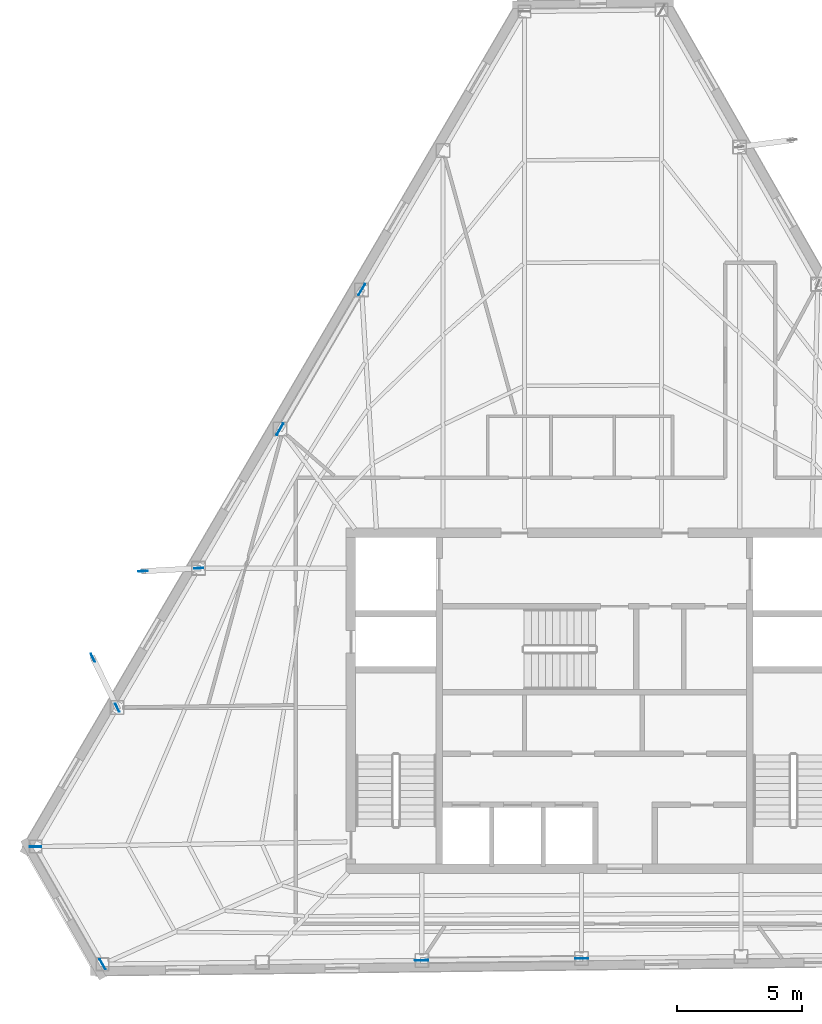
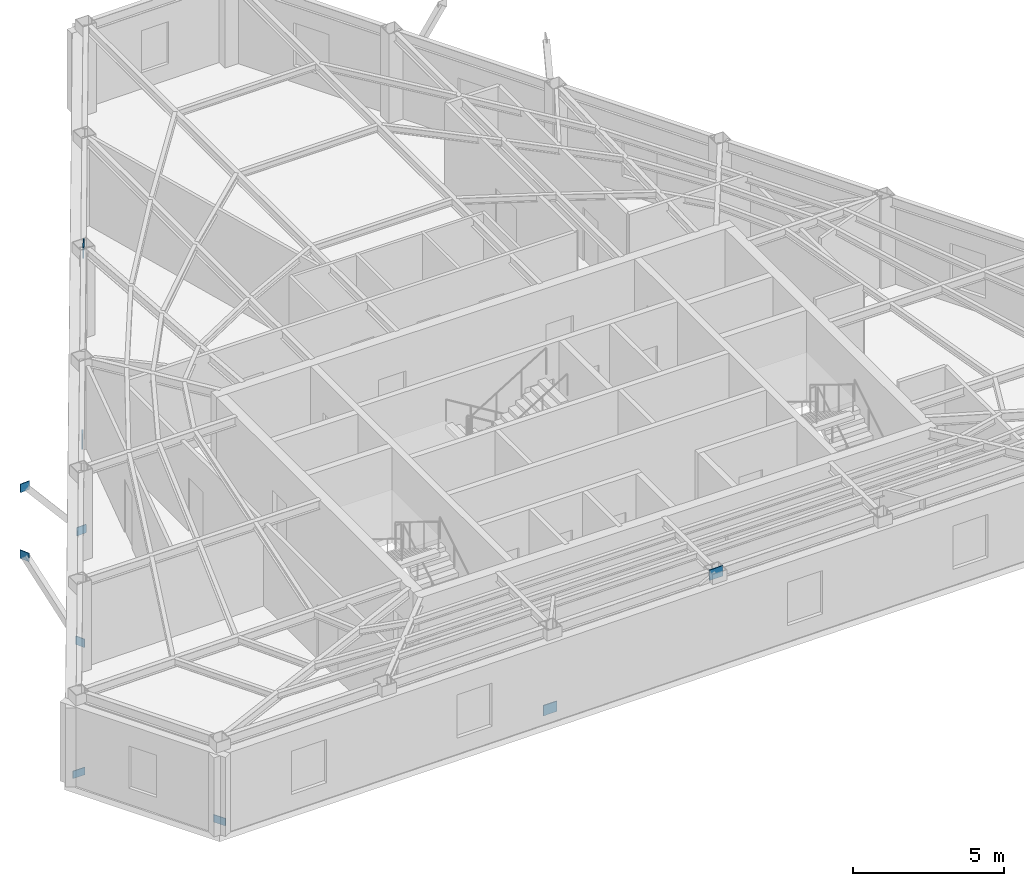
# One storey, part 4 of 10: 10 plates.
"""IFC4 building model written with IfcOpenShell, lengths in metres."""

from ifc_helpers import new_model, si_unit, direction, frame, origin, origin_2d, place, context, subcontext, project, spatial, rectangle, extrude, material, layer, layer_set, type_object, element, save


model = new_model("IFC4")

# Units and contexts
model_context = context("Model", 3, precision=1e-05, world=origin(), true_north=direction((0.0, 1.0)))
body_context = subcontext(model_context, "Body", "Model", "MODEL_VIEW")
ifc_project = project(units=[si_unit("LENGTHUNIT", "METRE"), si_unit("AREAUNIT", "SQUARE_METRE"), si_unit("VOLUMEUNIT", "CUBIC_METRE"), si_unit("PLANEANGLEUNIT", "RADIAN"), si_unit("MASSUNIT", "GRAM", prefix="KILO")], contexts=[model_context])

# Site, building, storey
site_placement = place(None, origin())
site = spatial("IfcSite", under=ifc_project, at=site_placement, CompositionType="ELEMENT")
building_placement = place(site_placement, origin())
building = spatial("IfcBuilding", under=site, at=building_placement, Name="Kavelnor Concourse Tower", CompositionType="ELEMENT")
storey_placement = place(building_placement, frame((0.0, 0.0, 289.550048828125)))
storey = spatial("IfcBuildingStorey", under=building, at=storey_placement, Name="L73", CompositionType="ELEMENT", Elevation=289.550048828125)

# Plates
ifc_material = material(Name="Steel Grade 350", Category="steel")
ifc_layer_1 = layer(ifc_material, 0.028076171875, Name="Steel Grade 350")
ifc_layer_set_1 = layer_set([ifc_layer_1], Name="Steel Grade 350")
plate_type_1 = type_object("IfcPlateType", Name="PL-GUSSET-FOLD", PredefinedType="USERDEFINED", material=ifc_layer_set_1)
for number, where, z_axis, x_axis, name in (
    (1, (15.72509765625, 10.288818359375, 0.10009765625), (0.0, 0.0, 1.0), (1.0, 0.0, 0.0), "L73 Herringbone Corner-Fold Kink Gusset Plate F0-B6"),
    (2, (18.39306640625, 5.602783203125, 0.10009765625), (0.0, 0.0, 1.0), (-0.5, 0.866025403784, 0.0), "L73 Herringbone Corner-Fold Kink Gusset Plate F1-B0"),
):
    element("IfcPlate", number, at=place(storey_placement, frame(where, z_axis=z_axis, x_axis=x_axis)), inside=storey, type_object=plate_type_1, Name=name, ObjectType="GUSSET_PLATE", PredefinedType="USERDEFINED", context=body_context, shape_type="SweptSolid", body=[
        extrude(rectangle(XDim=0.4599609375, YDim=0.028076171875, at=origin_2d()), origin(), (0.0, 0.0, 1.0), 0.300048828125),
    ])
for number, where, z_axis, x_axis, name in (
    (3, (22.231201171875, 21.385009765625, 0.8798828125), (0.0, 0.0, 1.0), (-0.99857418112, -0.053381689759, 0.0), "L73 Balcony Strut Gusset GP4 2-A End Gusset A"),
    (4, (20.002685546875, 21.26611328125, 3.48486328125), (0.0, 0.0, 1.0), (-0.99857418112, -0.053381689759, 0.0), "L73 Balcony Strut Gusset GP4 2-A End Gusset B"),
    (5, (18.9775390625, 15.825927734375, 0.8798828125), (0.0, 0.0, 1.0), (-0.439312121178, 0.898334492373, 0.0), "L73 Balcony Strut Gusset GP4 2-B End Gusset A"),
    (6, (18.00390625, 17.81640625, 3.48486328125), (0.0, 0.0, 1.0), (-0.439312121178, 0.898334492373, 0.0), "L73 Balcony Strut Gusset GP4 2-B End Gusset B"),
):
    element("IfcPlate", number, at=place(storey_placement, frame(where, z_axis=z_axis, x_axis=x_axis)), inside=storey, type_object=plate_type_1, Name=name, ObjectType="GUSSET_PLATE", PredefinedType="USERDEFINED", context=body_context, shape_type="SweptSolid", body=[
        extrude(rectangle(XDim=0.360107421875, YDim=0.028076171875, at=origin_2d()), origin(), (0.0, 0.0, 1.0), 0.340087890625),
    ])
ifc_layer_2 = layer(ifc_material, 0.031982421875, Name="Steel Grade 350")
ifc_layer_set_2 = layer_set([ifc_layer_2], Name="Steel Grade 350")
plate_type_2 = type_object("IfcPlateType", Name="PL-GUSSET-TUBE-Z1", PredefinedType="USERDEFINED", material=ifc_layer_set_2)
for number, where, z_axis, x_axis, name in (
    (7, (25.460205078125, 26.921875, 0.010009765625), (0.0, 0.0, 1.0), (0.50513026462, 0.863043113503, 0.0), "L73 Tube Brace Gusset GP3 F0-B2 End Gusset A"),
    (8, (28.719482421875, 32.490478515625, 3.197021484375), (0.0, 0.0, 1.0), (0.50513026462, 0.863043113503, 0.0), "L73 Tube Brace Gusset GP3 F0-B2 End Gusset B"),
    (9, (31.101318359375, 5.755126953125, 0.010009765625), (0.0, 0.0, 1.0), (0.9999274867, 0.01204248075, 0.0), "L73 Tube Brace Gusset GP3 F1-B2 End Gusset A"),
    (10, (37.4853515625, 5.83154296875, 3.197021484375), (0.0, 0.0, 1.0), (0.9999274867, 0.01204248075, 0.0), "L73 Tube Brace Gusset GP3 F1-B2 End Gusset B"),
):
    element("IfcPlate", number, at=place(storey_placement, frame(where, z_axis=z_axis, x_axis=x_axis)), inside=storey, type_object=plate_type_2, Name=name, ObjectType="GUSSET_PLATE", PredefinedType="USERDEFINED", context=body_context, shape_type="SweptSolid", body=[
        extrude(rectangle(XDim=0.52001953125, YDim=0.031982421875, at=origin_2d()), origin(), (0.0, 0.0, 1.0), 0.419921875),
    ])

save(model, "model.ifc")
